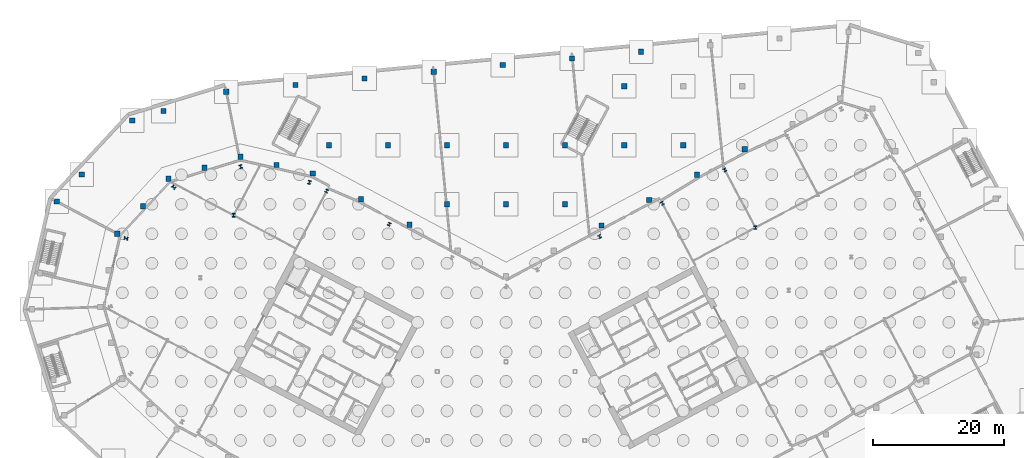
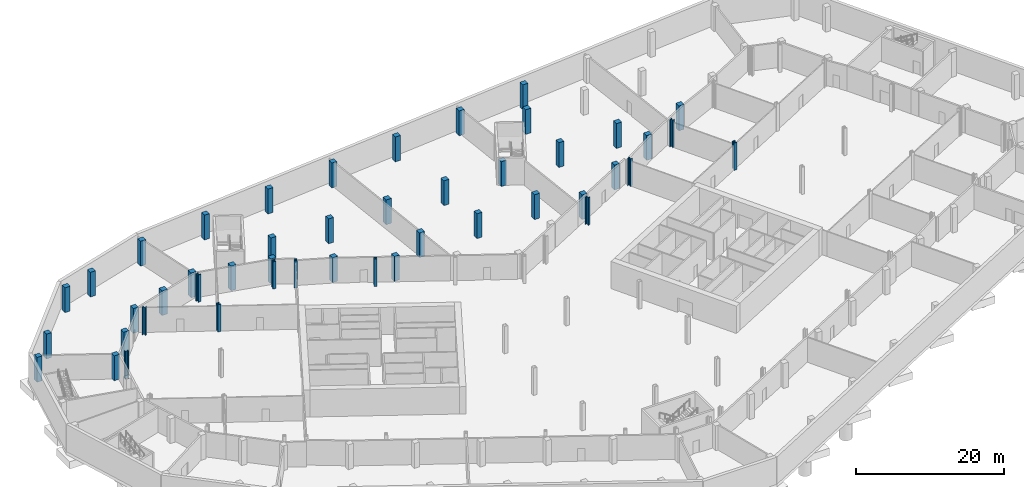
# One storey, part 6 of 29: 46 columns.
"""IFC4 building model written with IfcOpenShell, lengths in metres."""

from ifc_helpers import new_model, si_unit, direction, frame, origin, origin_2d, place, context, subcontext, project, spatial, rectangle, i_section, extrude, material, material_profile, profile_set, type_object, element, save


model = new_model("IFC4")

# Units and contexts
model_context = context("Model", 3, precision=1e-05, world=origin(), true_north=direction((0.0, 1.0)))
body_context = subcontext(model_context, "Body", "Model", "MODEL_VIEW")
ifc_project = project(units=[si_unit("LENGTHUNIT", "METRE"), si_unit("AREAUNIT", "SQUARE_METRE"), si_unit("VOLUMEUNIT", "CUBIC_METRE"), si_unit("PLANEANGLEUNIT", "RADIAN"), si_unit("MASSUNIT", "GRAM", prefix="KILO")], contexts=[model_context])

# Site, building, storey
site_placement = place(None, origin())
site = spatial("IfcSite", under=ifc_project, at=site_placement, CompositionType="ELEMENT")
building_placement = place(site_placement, origin())
building = spatial("IfcBuilding", under=site, at=building_placement, Name="Cormorant Relay Tower", CompositionType="ELEMENT")
storey_placement = place(building_placement, frame((0.0, 0.0, -9.0)))
storey = spatial("IfcBuildingStorey", under=building, at=storey_placement, Name="B2", CompositionType="ELEMENT", Elevation=-9.0)

# Columns
ifc_material_1 = material(Name="Concrete 50 MPa", Category="concrete")
ifc_material_profile_1 = material_profile(ifc_material_1, rectangle(XDim=0.800048828125, YDim=0.800048828125, at=origin_2d()), Name="RC 800x800")
ifc_profile_set_1 = profile_set([ifc_material_profile_1], Name="Concrete 50 MPa")
column_type_1 = type_object("IfcColumnType", Name="Base column 800 x 800", PredefinedType="COLUMN", material=ifc_profile_set_1)
for number, where, z_axis, x_axis, name in (
    (1, (-59.280029296875, 31.52001953125, 0.0), (0.0, 0.0, 1.0), (1.0, 0.0, 0.0), "Base column"),
    (2, (14.556884765625, 32.77001953125, 0.0), (0.0, 0.0, 1.0), (1.0, 0.0, 0.0), "Base column"),
    (3, (-14.742919921875, 32.868896484375, 0.0), (0.0, 0.0, 1.0), (1.0, 0.0, 0.0), "Base column"),
    (4, (-55.3720703125, 35.7099609375, 0.0), (0.0, 0.0, 1.0), (1.0, 0.0, 0.0), "Base column"),
    (5, (-9.0, 36.0, 0.0), (0.0, 0.0, 1.0), (1.0, 0.0, 0.0), "Base column"),
    (6, (0.0, 36.0, 0.0), (0.0, 0.0, 1.0), (1.0, 0.0, 0.0), "Base column"),
    (7, (9.0, 36.0, 0.0), (0.0, 0.0, 1.0), (1.0, 0.0, 0.0), "Base column"),
    (8, (-68.511962890625, 36.428955078125, 0.0), (0.0, 0.0, 1.0), (1.0, 0.0, 0.0), "Base column"),
    (9, (21.8359375, 36.639892578125, 0.0), (0.0, 0.0, 1.0), (1.0, 0.0, 0.0), "Base column"),
    (10, (-22.114013671875, 36.7880859375, 0.0), (0.0, 0.0, 1.0), (1.0, 0.0, 0.0), "Base column"),
    (11, (-51.464111328125, 39.90087890625, 0.0), (0.0, 0.0, 1.0), (1.0, 0.0, 0.0), "Base column"),
    (12, (29.114013671875, 40.510009765625, 0.0), (0.0, 0.0, 1.0), (1.0, 0.0, 0.0), "Base column"),
    (13, (-64.677001953125, 40.5419921875, 0.0), (0.0, 0.0, 1.0), (1.0, 0.0, 0.0), "Base column"),
    (14, (-29.485107421875, 40.70703125, 0.0), (0.0, 0.0, 1.0), (1.0, 0.0, 0.0), "Base column"),
    (15, (-45.985107421875, 41.575927734375, 0.0), (0.0, 0.0, 1.0), (1.0, 0.0, 0.0), "Base column"),
    (16, (-34.9951171875, 41.97900390625, 0.0), (0.0, 0.0, 1.0), (1.0, 0.0, 0.0), "Base column"),
    (17, (-40.5048828125, 43.251953125, 0.0), (0.0, 0.0, 1.0), (1.0, 0.0, 0.0), "Base column"),
    (18, (36.39306640625, 44.3798828125, 0.0), (0.0, 0.0, 1.0), (1.0, 0.0, 0.0), "Base column"),
    (19, (-27.0, 45.0, 0.0), (0.0, 0.0, 1.0), (1.0, 0.0, 0.0), "Base column"),
    (20, (-18.0, 45.0, 0.0), (0.0, 0.0, 1.0), (1.0, 0.0, 0.0), "Base column"),
    (21, (-9.0, 45.0, 0.0), (0.0, 0.0, 1.0), (1.0, 0.0, 0.0), "Base column"),
    (22, (0.0, 45.0, 0.0), (0.0, 0.0, 1.0), (1.0, 0.0, 0.0), "Base column"),
    (23, (9.0, 45.0, 0.0), (0.0, 0.0, 1.0), (1.0, 0.0, 0.0), "Base column"),
    (24, (18.0, 45.0, 0.0), (0.0, 0.0, 1.0), (1.0, 0.0, 0.0), "Base column"),
    (25, (27.0, 45.0, 0.0), (0.0, 0.0, 1.0), (1.0, 0.0, 0.0), "Base column"),
    (26, (-57.0048828125, 48.76806640625, 0.0), (0.0, 0.0, 1.0), (1.0, 0.0, 0.0), "Base column"),
    (27, (-52.22412109375, 50.22998046875, 0.0), (0.0, 0.0, 1.0), (1.0, 0.0, 0.0), "Base column"),
    (28, (-42.662109375, 53.154052734375, 0.0), (0.0, 0.0, 1.0), (1.0, 0.0, 0.0), "Base column"),
    (29, (18.0, 54.0, 0.0), (0.0, 0.0, 1.0), (1.0, 0.0, 0.0), "Base column"),
    (30, (-32.12109375, 54.169921875, 0.0), (0.0, 0.0, 1.0), (1.0, 0.0, 0.0), "Base column"),
    (31, (-21.580078125, 55.18603515625, 0.0), (0.0, 0.0, 1.0), (1.0, 0.0, 0.0), "Base column"),
    (32, (-11.0390625, 56.201904296875, 0.0), (0.0, 0.0, 1.0), (1.0, 0.0, 0.0), "Base column"),
    (33, (-0.498046875, 57.218017578125, 0.0), (0.0, 0.0, 1.0), (1.0, 0.0, 0.0), "Base column"),
    (34, (10.0439453125, 58.23388671875, 0.0), (0.0, 0.0, 1.0), (1.0, 0.0, 0.0), "Base column"),
    (35, (20.5849609375, 59.25, 0.0), (0.0, 0.0, 1.0), (1.0, 0.0, 0.0), "Base column"),
):
    element("IfcColumn", number, at=place(storey_placement, frame(where, z_axis=z_axis, x_axis=x_axis)), inside=storey, type_object=column_type_1, Name=name, PredefinedType="COLUMN", context=body_context, shape_type="SweptSolid", body=[
        extrude(rectangle(XDim=0.800048828125, YDim=0.800048828125, at=origin_2d()), origin(), (0.0, 0.0, 1.0), 4.10009765625),
    ])
ifc_material_2 = material(Name="Steel ASTM A992 (Fy 345 MPa)", Category="steel")
ifc_material_profile_2 = material_profile(ifc_material_2, i_section(OverallWidth=0.45458984375, OverallDepth=0.569091796875, WebThickness=0.077880859375, FlangeThickness=0.124755859375, FilletRadius=0.015380859375, at=origin_2d()), Name="W360x1086")
ifc_profile_set_2 = profile_set([ifc_material_profile_2], Name="Steel ASTM A992 (Fy 345 MPa)")
column_type_2 = type_object("IfcColumnType", Name="Column W360x1086", PredefinedType="COLUMN", material=ifc_profile_set_2)
for number, where, z_axis, x_axis, name in (
    (36, (-57.93896484375, 30.806884765625, 0.0), (0.0, 0.0, 1.0), (-0.224951054344, -0.974370064785, 0.0), "Column B2-038"),
    (37, (38.01806640625, 32.446044921875, 0.0), (0.0, 0.0, 1.0), (1.0, 0.0, 0.0), "Column B2-040"),
    (38, (-41.549072265625, 34.323974609375, 0.0), (0.0, 0.0, 1.0), (1.0, 0.0, 0.0), "Column B2-043"),
    (39, (-50.659912109375, 38.613037109375, 0.0), (0.0, 0.0, 1.0), (-0.681998360062, -0.731353701619, 0.0), "Column B2-047"),
    (40, (-29.992919921875, 39.35009765625, 0.0), (0.0, 0.0, 1.0), (-0.974370064785, 0.224951054344, 0.0), "Column B2-048"),
    (41, (-40.451904296875, 41.73388671875, 0.0), (0.0, 0.0, 1.0), (-0.956304755963, -0.292371704723, 0.0), "Column B2-050"),
):
    element("IfcColumn", number, at=place(storey_placement, frame(where, z_axis=z_axis, x_axis=x_axis)), inside=storey, type_object=column_type_2, Name=name, PredefinedType="COLUMN", context=body_context, shape_type="SweptSolid", body=[
        extrude(i_section(OverallWidth=0.45458984375, OverallDepth=0.569091796875, WebThickness=0.077880859375, FlangeThickness=0.124755859375, FilletRadius=0.015380859375, at=origin_2d()), origin(), (0.0, 0.0, 1.0), 4.5),
    ])
ifc_material_3 = material(Name="Steel ASTM A992 (Fy 345 MPa)", Category="steel")
ifc_material_profile_3 = material_profile(ifc_material_3, i_section(OverallWidth=0.43701171875, OverallDepth=0.51318359375, WebThickness=0.060546875, FlangeThickness=0.096923828125, FilletRadius=0.015380859375, at=origin_2d()), Name="W360x818")
ifc_profile_set_3 = profile_set([ifc_material_profile_3], Name="Steel ASTM A992 (Fy 345 MPa)")
column_type_3 = type_object("IfcColumnType", Name="Column W360x818", PredefinedType="COLUMN", material=ifc_profile_set_3)
for number, where, z_axis, x_axis, name in (
    (42, (14.279052734375, 31.08203125, 0.0), (0.0, 0.0, 1.0), (-0.882947592859, -0.469471562786, 0.0), "Column B2-039"),
    (43, (-17.81103515625, 32.9599609375, 0.0), (0.0, 0.0, 1.0), (-0.882947592859, 0.469471562786, 0.0), "Column B2-041"),
    (44, (23.81494140625, 36.152099609375, 0.0), (0.0, 0.0, 1.0), (-0.882947592859, -0.469471562786, 0.0), "Column B2-044"),
    (45, (-27.346923828125, 38.030029296875, 0.0), (0.0, 0.0, 1.0), (-0.882947592859, 0.469471562786, 0.0), "Column B2-046"),
    (46, (33.35107421875, 41.222900390625, 0.0), (0.0, 0.0, 1.0), (-0.882947592859, -0.469471562786, 0.0), "Column B2-049"),
):
    element("IfcColumn", number, at=place(storey_placement, frame(where, z_axis=z_axis, x_axis=x_axis)), inside=storey, type_object=column_type_3, Name=name, PredefinedType="COLUMN", context=body_context, shape_type="SweptSolid", body=[
        extrude(i_section(OverallWidth=0.43701171875, OverallDepth=0.51318359375, WebThickness=0.060546875, FlangeThickness=0.096923828125, FilletRadius=0.015380859375, at=origin_2d()), origin(), (0.0, 0.0, 1.0), 4.5),
    ])

save(model, "model.ifc")
